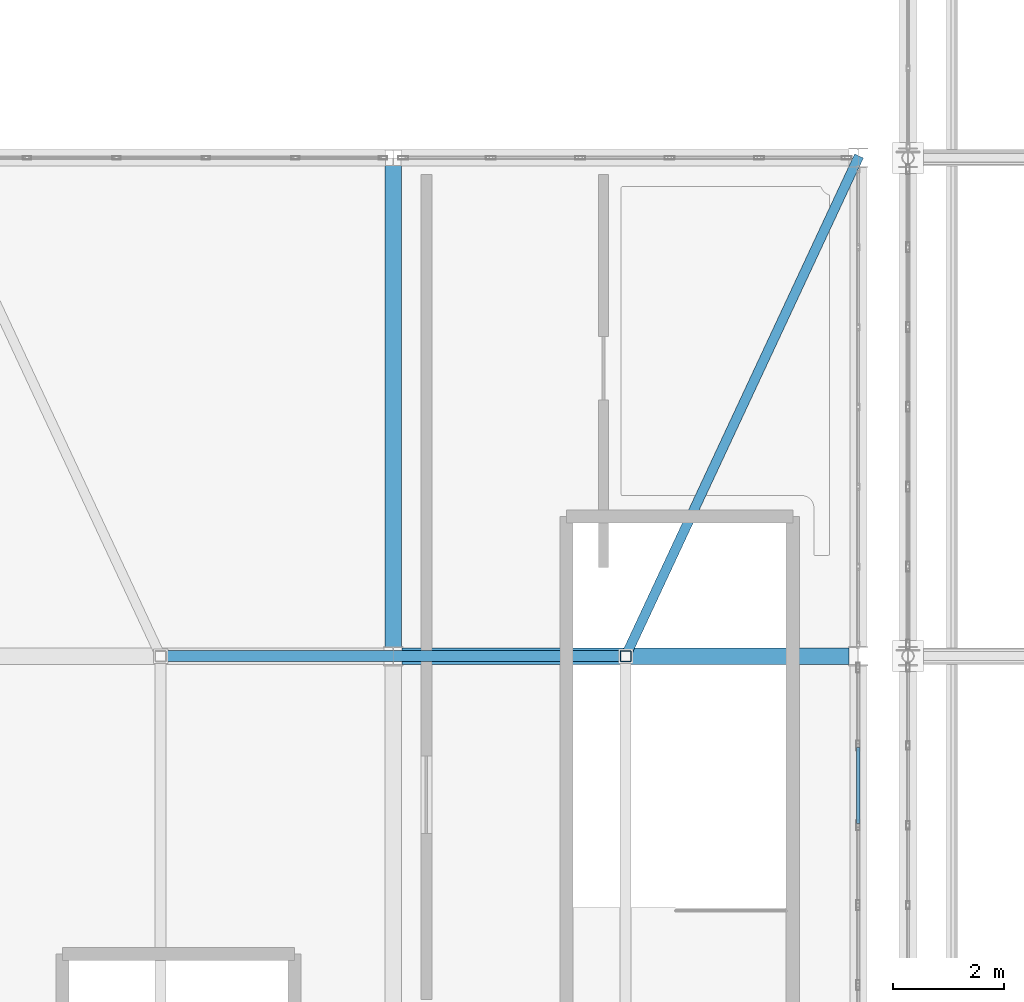
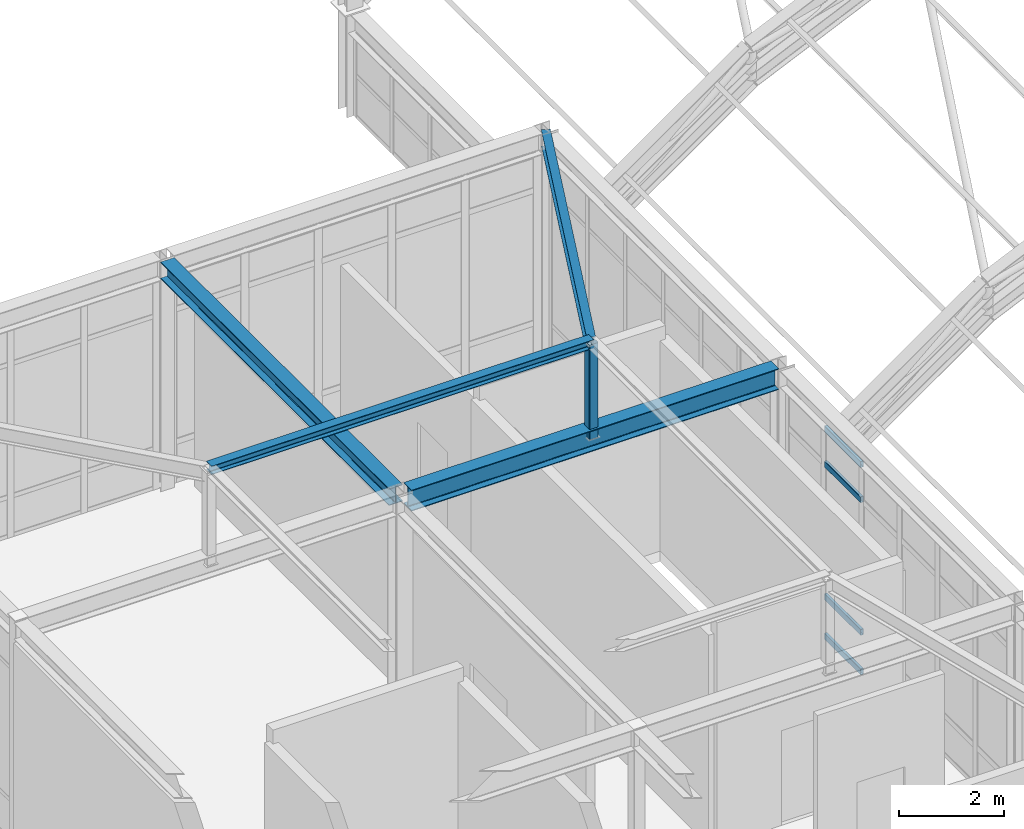
# One storey, part 67 of 121: 6 members, 3 beams, 1 element without a shape of its own.
"""IFC4 building model written with IfcOpenShell, lengths in metres."""

from ifc_helpers import new_model, si_unit, direction, frame, origin, origin_2d, place, context, subcontext, project, spatial, hollow_rectangle, i_section, extrude, material, material_profile, profile_set, type_object, element, aggregate, save


model = new_model("IFC4")

# Units and contexts
model_context = context("Model", 3, precision=1e-05, world=origin(), true_north=direction((0.0, 1.0)))
body_context = subcontext(model_context, "Body", "Model", "MODEL_VIEW")
ifc_project = project(units=[si_unit("LENGTHUNIT", "METRE"), si_unit("AREAUNIT", "SQUARE_METRE"), si_unit("VOLUMEUNIT", "CUBIC_METRE"), si_unit("PLANEANGLEUNIT", "RADIAN"), si_unit("MASSUNIT", "GRAM", prefix="KILO")], contexts=[model_context])

# Site, building, storey
site_placement = place(None, origin())
site = spatial("IfcSite", under=ifc_project, at=site_placement, CompositionType="ELEMENT")
building_placement = place(site_placement, origin())
building = spatial("IfcBuilding", under=site, at=building_placement, Name="Canglan Escarpment Cableway Terminal", CompositionType="ELEMENT")
storey_placement = place(building_placement, frame((0.0, 0.0, 24.60009765625)))
storey = spatial("IfcBuildingStorey", under=building, at=storey_placement, Name="L05", CompositionType="ELEMENT", Elevation=24.60009765625)

# Beams
ifc_material_1 = material(Name="Steel Q355B", Category="steel")
ifc_material_profile_1 = material_profile(ifc_material_1, i_section(OverallWidth=0.175048828125, OverallDepth=0.35009765625, WebThickness=0.007080078125, FlangeThickness=0.010986328125, FilletRadius=0.013916015625, at=origin_2d()), Name="HN 350x175x7x11")
ifc_profile_set_1 = profile_set([ifc_material_profile_1], Name="Steel Q355B")
beam_type_1 = type_object("IfcBeamType", Name="BM-HIP-RAFTER-HN350", PredefinedType="BEAM", material=ifc_profile_set_1)
beam_1_placement = place(storey_placement, frame((136.699951171875, 115.0, 5.139892578125), z_axis=(-0.413733077161, -0.886581186797, 0.206878563608), x_axis=(0.906185023996, -0.422881428163, 0.0)))
element("IfcBeam", 1, at=beam_1_placement, inside=storey, type_object=beam_type_1, Name="Drive House hip rafter RF-B1", PredefinedType="BEAM", context=body_context, shape_type="SweptSolid", body=[
    extrude(i_section(OverallWidth=0.175048828125, OverallDepth=0.35009765625, WebThickness=0.007080078125, FlangeThickness=0.010986328125, FilletRadius=0.013916015625, at=origin_2d()), origin(), (0.0, 0.0, 1.0), 10.1513671875),
])
ifc_material_profile_2 = material_profile(ifc_material_1, i_section(OverallWidth=0.300048828125, OverallDepth=0.389892578125, WebThickness=0.010009765625, FlangeThickness=0.01611328125, FilletRadius=0.02197265625, at=origin_2d()), Name="HM 390x300x10x16")
ifc_profile_set_2 = profile_set([ifc_material_profile_2], Name="Steel Q355B")
beam_type_2 = type_object("IfcBeamType", Name="BM-HM390", PredefinedType="BEAM", material=ifc_profile_set_2)
beam_2_placement = place(storey_placement, frame((128.300048828125, 106.1650390625, 5.139892578125), z_axis=(0.0, 1.0, 0.0), x_axis=(-1.0, 0.0, 0.0)))
element("IfcBeam", 2, at=beam_2_placement, inside=storey, type_object=beam_type_2, Name="Drive House roof transverse tie girder B-11", PredefinedType="BEAM", context=body_context, shape_type="SweptSolid", body=[
    extrude(i_section(OverallWidth=0.300048828125, OverallDepth=0.389892578125, WebThickness=0.010009765625, FlangeThickness=0.01611328125, FilletRadius=0.02197265625, at=origin_2d()), origin(), (0.0, 0.0, 1.0), 8.695068359375),
])
ifc_material_profile_3 = material_profile(ifc_material_1, i_section(OverallWidth=0.300048828125, OverallDepth=0.488037109375, WebThickness=0.010986328125, FlangeThickness=0.01806640625, FilletRadius=0.02587890625, at=origin_2d()), Name="HM 488x300x11x18")
ifc_profile_set_3 = profile_set([ifc_material_profile_3], Name="Steel Q355B")
beam_type_3 = type_object("IfcBeamType", Name="BM-HM488", PredefinedType="BEAM", material=ifc_profile_set_3)
beam_3_placement = place(storey_placement, frame((128.465087890625, 106.0, 5.139892578125), z_axis=(1.0, 0.0, 0.0), x_axis=(0.0, 1.0, 0.0)))
element("IfcBeam", 3, at=beam_3_placement, inside=storey, type_object=beam_type_3, Name="Drive House roof eave tie girder B-09", PredefinedType="BEAM", context=body_context, shape_type="SweptSolid", body=[
    extrude(i_section(OverallWidth=0.300048828125, OverallDepth=0.488037109375, WebThickness=0.010986328125, FlangeThickness=0.01806640625, FilletRadius=0.02587890625, at=origin_2d()), origin(), (0.0, 0.0, 1.0), 8.06982421875),
])

# Curtain wall, members
ifc_material_2 = material(Name="Anodized bronze aluminium and Low-E double glazing", Category="aluminium")
curtain_wall_type = type_object("IfcCurtainWallType", Name="CW-BAY-8650x4875", PredefinedType="NOTDEFINED", material=ifc_material_2)
curtain_wall_placement = place(storey_placement, origin())
curtain_wall = element("IfcCurtainWall", 4, at=curtain_wall_placement, inside=storey, type_object=curtain_wall_type, Name="Classical bay-between-piers glazed curtain wall CW-58", PredefinedType="NOTDEFINED")
ifc_material_3 = material(Name="Thermally broken anodized aluminium 6063-T6", Category="aluminium")
ifc_material_profile_4 = material_profile(ifc_material_3, hollow_rectangle(XDim=0.06494140625, YDim=0.139892578125, WallThickness=0.00341796875, InnerFilletRadius=0.00341796875, OuterFilletRadius=0.007080078125, at=origin_2d()), Name="ALU-TRAN 65x140x3.5")
ifc_profile_set_4 = profile_set([ifc_material_profile_4], Name="Thermally broken anodized aluminium 6063-T6")
member_type_1 = type_object("IfcMemberType", Name="CWT-03", PredefinedType="USERDEFINED", material=ifc_profile_set_4)
member_1_placement = place(storey_placement, frame((136.699951171875, 102.97412109375, 0.032470703125), z_axis=(0.0, 1.0, 0.0), x_axis=(-1.0, 0.0, 0.0)))
member_1 = element("IfcMember", 5, at=member_1_placement, type_object=member_type_1, Name="CW-58 transom 5.1", ObjectType="TRANSOM", PredefinedType="USERDEFINED", context=body_context, shape_type="SweptSolid", body=[
    extrude(hollow_rectangle(XDim=0.06494140625, YDim=0.139892578125, WallThickness=0.00341796875, InnerFilletRadius=0.00341796875, OuterFilletRadius=0.007080078125, at=origin_2d()), origin(), (0.0, 0.0, 1.0), 1.376708984375),
])
member_2_placement = place(storey_placement, frame((136.699951171875, 102.97412109375, 0.949951171875), z_axis=(0.0, 1.0, 0.0), x_axis=(-1.0, 0.0, 0.0)))
member_2 = element("IfcMember", 6, at=member_2_placement, type_object=member_type_1, Name="CW-58 transom 5.2", ObjectType="TRANSOM", PredefinedType="USERDEFINED", context=body_context, shape_type="SweptSolid", body=[
    extrude(hollow_rectangle(XDim=0.06494140625, YDim=0.139892578125, WallThickness=0.00341796875, InnerFilletRadius=0.00341796875, OuterFilletRadius=0.007080078125, at=origin_2d()), origin(), (0.0, 0.0, 1.0), 1.376708984375),
])
member_3_placement = place(storey_placement, frame((136.699951171875, 102.97412109375, 4.031005859375), z_axis=(0.0, 1.0, 0.0), x_axis=(-1.0, 0.0, 0.0)))
member_3 = element("IfcMember", 7, at=member_3_placement, type_object=member_type_1, Name="CW-58 transom 5.3", ObjectType="TRANSOM", PredefinedType="USERDEFINED", context=body_context, shape_type="SweptSolid", body=[
    extrude(hollow_rectangle(XDim=0.06494140625, YDim=0.139892578125, WallThickness=0.00341796875, InnerFilletRadius=0.00341796875, OuterFilletRadius=0.007080078125, at=origin_2d()), origin(), (0.0, 0.0, 1.0), 1.376708984375),
])
member_4_placement = place(storey_placement, frame((136.699951171875, 102.97412109375, 4.848388671875), z_axis=(0.0, 1.0, 0.0), x_axis=(-1.0, 0.0, 0.0)))
member_4 = element("IfcMember", 8, at=member_4_placement, type_object=member_type_1, Name="CW-58 transom 5.4", ObjectType="TRANSOM", PredefinedType="USERDEFINED", context=body_context, shape_type="SweptSolid", body=[
    extrude(hollow_rectangle(XDim=0.06494140625, YDim=0.139892578125, WallThickness=0.00341796875, InnerFilletRadius=0.00341796875, OuterFilletRadius=0.007080078125, at=origin_2d()), origin(), (0.0, 0.0, 1.0), 1.376708984375),
])
aggregate(curtain_wall, [member_1, member_2, member_3, member_4])

# Members
ifc_material_profile_5 = material_profile(ifc_material_1, i_section(OverallWidth=0.199951171875, OverallDepth=0.199951171875, WebThickness=0.008056640625, FlangeThickness=0.011962890625, FilletRadius=0.012939453125, at=origin_2d()), Name="HW 200x200x8x12")
ifc_profile_set_5 = profile_set([ifc_material_profile_5], Name="Steel Q355B")
member_type_2 = type_object("IfcMemberType", Name="MB-HIP-TIE-HW200", PredefinedType="CHORD", material=ifc_profile_set_5)
member_5_placement = place(storey_placement, frame((132.5, 106.0, 7.33984375), z_axis=(-1.0, 0.0, 0.0), x_axis=(0.0, -1.0, 0.0)))
element("IfcMember", 9, at=member_5_placement, inside=storey, type_object=member_type_2, Name="Drive House lantern ring chord RF-CH1", PredefinedType="CHORD", context=body_context, shape_type="SweptSolid", body=[
    extrude(i_section(OverallWidth=0.199951171875, OverallDepth=0.199951171875, WebThickness=0.008056640625, FlangeThickness=0.011962890625, FilletRadius=0.012939453125, at=origin_2d()), origin(), (0.0, 0.0, 1.0), 8.39990234375),
])
ifc_material_profile_6 = material_profile(ifc_material_1, hollow_rectangle(XDim=0.199951171875, YDim=0.199951171875, WallThickness=0.008056640625, InnerFilletRadius=0.008056640625, OuterFilletRadius=0.01611328125, at=origin_2d()), Name="SHS 200x200x8")
ifc_profile_set_6 = profile_set([ifc_material_profile_6], Name="Steel Q355B")
member_type_3 = type_object("IfcMemberType", Name="MB-PRATT-WEB-SHS200", PredefinedType="BRACE", material=ifc_profile_set_6)
member_6_placement = place(storey_placement, frame((132.5, 106.0, 5.139892578125), z_axis=(0.0, 0.0, 1.0), x_axis=(1.0, 0.0, 0.0)))
element("IfcMember", 10, at=member_6_placement, inside=storey, type_object=member_type_3, Name="Drive House lantern ROOF TRUSS strut PT-WB1", PredefinedType="BRACE", context=body_context, shape_type="SweptSolid", body=[
    extrude(hollow_rectangle(XDim=0.199951171875, YDim=0.199951171875, WallThickness=0.008056640625, InnerFilletRadius=0.008056640625, OuterFilletRadius=0.01611328125, at=origin_2d()), origin(), (0.0, 0.0, 1.0), 2.199951171875),
])

save(model, "model.ifc")
